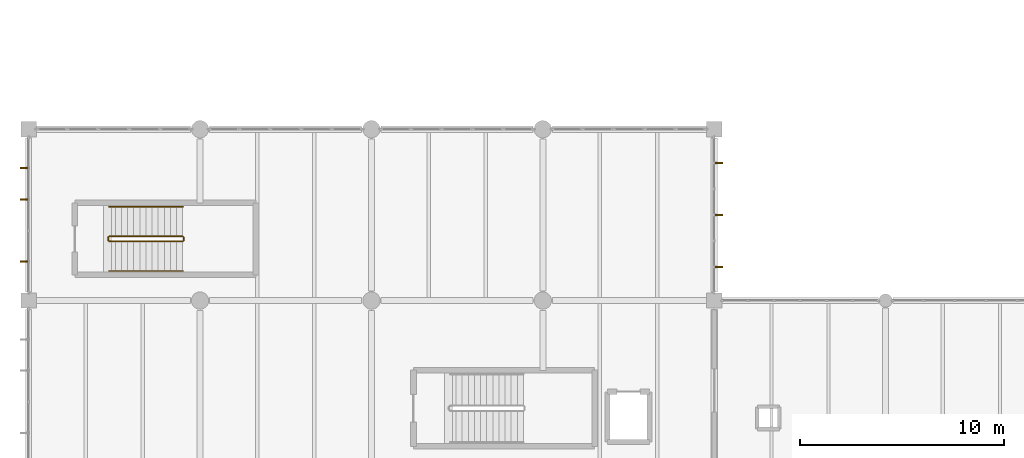
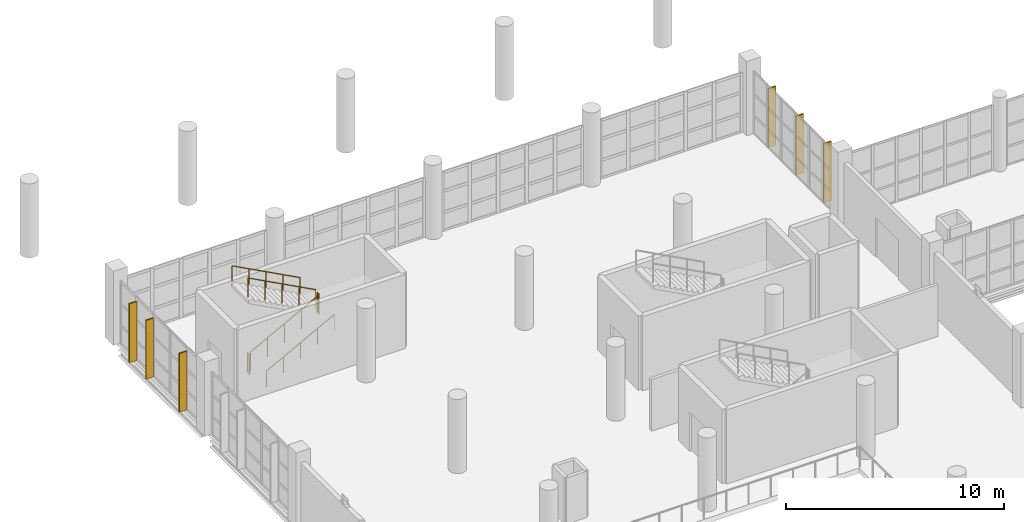
# One storey, part 169 of 177: 6 railings, 6 shading devices.
"""IFC4 building model written with IfcOpenShell, lengths in metres."""

from ifc_helpers import new_model, si_unit, direction, frame, origin, origin_2d, place, context, subcontext, project, spatial, rectangle, circle, extrude, material, type_object, element, save


model = new_model("IFC4")

# Units and contexts
model_context = context("Model", 3, precision=1e-05, world=origin(), true_north=direction((0.0, 1.0)))
body_context = subcontext(model_context, "Body", "Model", "MODEL_VIEW")
ifc_project = project(units=[si_unit("LENGTHUNIT", "METRE"), si_unit("AREAUNIT", "SQUARE_METRE"), si_unit("VOLUMEUNIT", "CUBIC_METRE"), si_unit("PLANEANGLEUNIT", "RADIAN"), si_unit("MASSUNIT", "GRAM", prefix="KILO"), si_unit("THERMODYNAMICTEMPERATUREUNIT", "KELVIN"), si_unit("POWERUNIT", "WATT")], contexts=[model_context])

# Site, building, storey
site_placement = place(None, origin())
site = spatial("IfcSite", under=ifc_project, at=site_placement, CompositionType="ELEMENT")
building_placement = place(site_placement, origin())
building = spatial("IfcBuilding", under=site, at=building_placement, Name="Mavoryth Pier Ferry Terminal", CompositionType="ELEMENT")
storey_placement = place(building_placement, frame((0.0, 0.0, 5.43994140625)))
storey = spatial("IfcBuildingStorey", under=building, at=storey_placement, Name="L01", CompositionType="ELEMENT", Elevation=5.43994140625)

# Shading devices
ifc_material_1 = material(Name="Anodised Aluminium Solar-Shading Fin", Category="aluminium")
shading_device_type = type_object("IfcShadingDeviceType", Name="Fin-BriseSoleil-400x75x3300", PredefinedType="SHUTTER", material=ifc_material_1)
for number, where, z_axis, x_axis, name in (
    (1, (-0.22412109375, 104.094970703125, 0.0), (0.0, 0.0, 1.0), (0.0, -1.0, 0.0), "Solar Shading Fin 76"),
    (2, (-0.22412109375, 102.56494140625, 0.0), (0.0, 0.0, 1.0), (0.0, -1.0, 0.0), "Solar Shading Fin 77"),
    (3, (-0.22412109375, 99.5048828125, 0.0), (0.0, 0.0, 1.0), (0.0, -1.0, 0.0), "Solar Shading Fin 78"),
    (4, (33.823974609375, 99.25, 0.0), (0.0, 0.0, 1.0), (0.0, 1.0, 0.0), "Solar Shading Fin 79"),
    (5, (33.823974609375, 101.800048828125, 0.0), (0.0, 0.0, 1.0), (0.0, 1.0, 0.0), "Solar Shading Fin 80"),
    (6, (33.823974609375, 104.35009765625, 0.0), (0.0, 0.0, 1.0), (0.0, 1.0, 0.0), "Solar Shading Fin 81"),
):
    element("IfcShadingDevice", number, at=place(storey_placement, frame(where, z_axis=z_axis, x_axis=x_axis)), inside=storey, type_object=shading_device_type, Name=name, PredefinedType="SHUTTER", context=body_context, shape_type="SweptSolid", body=[
        extrude(rectangle(XDim=0.074951171875, YDim=0.39990234375, at=origin_2d()), origin(), (0.0, 0.0, 1.0), 3.300048828125),
    ])

# Railings
ifc_material_2 = material(Name="Painted Galvanised Steel Balustrade", Category="steel")
railing_type_1 = type_object("IfcRailingType", Name="Guard-Stair-Steel1100", PredefinedType="GUARDRAIL", material=ifc_material_2)
railing_1_placement = place(storey_placement, frame((3.949951171875, 100.5, 0.16015625)))
element("IfcRailing", 7, at=railing_1_placement, inside=storey, type_object=railing_type_1, Name="L01 ST03 stair guard 1", PredefinedType="GUARDRAIL", context=body_context, shape_type="SweptSolid", body=[
    extrude(circle(Radius=0.02392578125, at=origin_2d()), frame((0.0, 0.0, 1.076171875), z_axis=(0.882366192074, 0.0, 0.470563389019), x_axis=(0.0, 1.0, 0.0)), (0.0, 0.0, 1.0), 4.080078125),
    extrude(circle(Radius=0.02099609375, at=origin_2d()), origin(), (0.0, 0.0, 1.0), 1.052001953125),
    extrude(circle(Radius=0.02099609375, at=origin_2d()), frame((0.89990234375, 0.0, 0.47998046875)), (0.0, 0.0, 1.0), 1.052001953125),
    extrude(circle(Radius=0.02099609375, at=origin_2d()), frame((1.800048828125, 0.0, 0.9599609375)), (0.0, 0.0, 1.0), 1.052001953125),
    extrude(circle(Radius=0.02099609375, at=origin_2d()), frame((2.7001953125, 0.0, 1.43994140625)), (0.0, 0.0, 1.0), 1.052001953125),
    extrude(circle(Radius=0.02099609375, at=origin_2d()), frame((3.60009765625, 0.0, 1.919921875)), (0.0, 0.0, 1.0), 1.052001953125),
])
railing_2_placement = place(storey_placement, frame((7.60009765625, 100.550048828125, 2.080078125)))
element("IfcRailing", 8, at=railing_2_placement, inside=storey, type_object=railing_type_1, Name="L01 ST03 stair guard 2", PredefinedType="GUARDRAIL", context=body_context, shape_type="SweptSolid", body=[
    extrude(circle(Radius=0.02392578125, at=origin_2d()), frame((0.0, 0.0, 1.076171875), z_axis=(0.0, 1.0, 0.0), x_axis=(-1.0, 0.0, 0.0)), (0.0, 0.0, 1.0), 0.14990234375),
    extrude(circle(Radius=0.02099609375, at=origin_2d()), origin(), (0.0, 0.0, 1.0), 1.052001953125),
    extrude(circle(Radius=0.02099609375, at=origin_2d()), frame((0.0, 0.14990234375, 0.0)), (0.0, 0.0, 1.0), 1.052001953125),
])
railing_3_placement = place(storey_placement, frame((7.550048828125, 100.75, 2.239990234375)))
element("IfcRailing", 9, at=railing_3_placement, inside=storey, type_object=railing_type_1, Name="L01 ST03 stair guard 3", PredefinedType="GUARDRAIL", context=body_context, shape_type="SweptSolid", body=[
    extrude(circle(Radius=0.02392578125, at=origin_2d()), frame((0.0, 0.0, 1.076171875), z_axis=(-0.882341346394, 0.0, 0.470609974867), x_axis=(0.0, -1.0, 0.0)), (0.0, 0.0, 1.0), 4.080078125),
    extrude(circle(Radius=0.02099609375, at=origin_2d()), origin(), (0.0, 0.0, 1.0), 1.052001953125),
    extrude(circle(Radius=0.02099609375, at=origin_2d()), frame((-0.89990234375, 0.0, 0.47998046875)), (0.0, 0.0, 1.0), 1.052001953125),
    extrude(circle(Radius=0.02099609375, at=origin_2d()), frame((-1.800048828125, 0.0, 0.9599609375)), (0.0, 0.0, 1.0), 1.052001953125),
    extrude(circle(Radius=0.02099609375, at=origin_2d()), frame((-2.7001953125, 0.0, 1.440185546875)), (0.0, 0.0, 1.0), 1.052001953125),
    extrude(circle(Radius=0.02099609375, at=origin_2d()), frame((-3.60009765625, 0.0, 1.920166015625)), (0.0, 0.0, 1.0), 1.052001953125),
])
railing_4_placement = place(storey_placement, frame((3.89990234375, 100.550048828125, 0.0)))
element("IfcRailing", 10, at=railing_4_placement, inside=storey, type_object=railing_type_1, Name="L01 ST03 stair guard 4", PredefinedType="GUARDRAIL", context=body_context, shape_type="SweptSolid", body=[
    extrude(circle(Radius=0.02392578125, at=origin_2d()), frame((0.0, 0.0, 1.076171875), z_axis=(0.0, 1.0, 0.0), x_axis=(-1.0, 0.0, 0.0)), (0.0, 0.0, 1.0), 0.14990234375),
    extrude(circle(Radius=0.02099609375, at=origin_2d()), origin(), (0.0, 0.0, 1.0), 1.052001953125),
    extrude(circle(Radius=0.02099609375, at=origin_2d()), frame((0.0, 0.14990234375, 0.0)), (0.0, 0.0, 1.0), 1.052001953125),
])
ifc_material_3 = material(Name="Brushed Stainless Steel Tubular Handrail", Category="steel")
railing_type_2 = type_object("IfcRailingType", Name="Handrail-Stair-SS900", PredefinedType="HANDRAIL", material=ifc_material_3)
railing_5_placement = place(storey_placement, frame((3.949951171875, 99.050048828125, 0.16015625)))
element("IfcRailing", 11, at=railing_5_placement, inside=storey, type_object=railing_type_2, Name="L01 ST03 stair handrail 1", PredefinedType="HANDRAIL", context=body_context, shape_type="SweptSolid", body=[
    extrude(circle(Radius=0.02392578125, at=origin_2d()), frame((0.0, 0.0, 0.8759765625), z_axis=(0.882366192074, 0.0, 0.470563389019), x_axis=(0.0, 1.0, 0.0)), (0.0, 0.0, 1.0), 4.080078125),
    extrude(circle(Radius=0.02099609375, at=origin_2d()), origin(), (0.0, 0.0, 1.0), 0.851806640625),
    extrude(circle(Radius=0.02099609375, at=origin_2d()), frame((0.89990234375, 0.0, 0.47998046875)), (0.0, 0.0, 1.0), 0.851806640625),
    extrude(circle(Radius=0.02099609375, at=origin_2d()), frame((1.800048828125, 0.0, 0.9599609375)), (0.0, 0.0, 1.0), 0.851806640625),
    extrude(circle(Radius=0.02099609375, at=origin_2d()), frame((2.7001953125, 0.0, 1.43994140625)), (0.0, 0.0, 1.0), 0.851806640625),
    extrude(circle(Radius=0.02099609375, at=origin_2d()), frame((3.60009765625, 0.0, 1.919921875)), (0.0, 0.0, 1.0), 0.851806640625),
])
railing_6_placement = place(storey_placement, frame((7.550048828125, 102.199951171875, 2.239990234375)))
element("IfcRailing", 12, at=railing_6_placement, inside=storey, type_object=railing_type_2, Name="L01 ST03 stair handrail 2", PredefinedType="HANDRAIL", context=body_context, shape_type="SweptSolid", body=[
    extrude(circle(Radius=0.02392578125, at=origin_2d()), frame((0.0, 0.0, 0.8759765625), z_axis=(-0.882341346394, 0.0, 0.470609974867), x_axis=(0.0, -1.0, 0.0)), (0.0, 0.0, 1.0), 4.080078125),
    extrude(circle(Radius=0.02099609375, at=origin_2d()), origin(), (0.0, 0.0, 1.0), 0.851806640625),
    extrude(circle(Radius=0.02099609375, at=origin_2d()), frame((-0.89990234375, 0.0, 0.47998046875)), (0.0, 0.0, 1.0), 0.851806640625),
    extrude(circle(Radius=0.02099609375, at=origin_2d()), frame((-1.800048828125, 0.0, 0.9599609375)), (0.0, 0.0, 1.0), 0.851806640625),
    extrude(circle(Radius=0.02099609375, at=origin_2d()), frame((-2.7001953125, 0.0, 1.440185546875)), (0.0, 0.0, 1.0), 0.851806640625),
    extrude(circle(Radius=0.02099609375, at=origin_2d()), frame((-3.60009765625, 0.0, 1.920166015625)), (0.0, 0.0, 1.0), 0.851806640625),
])

save(model, "model.ifc")
